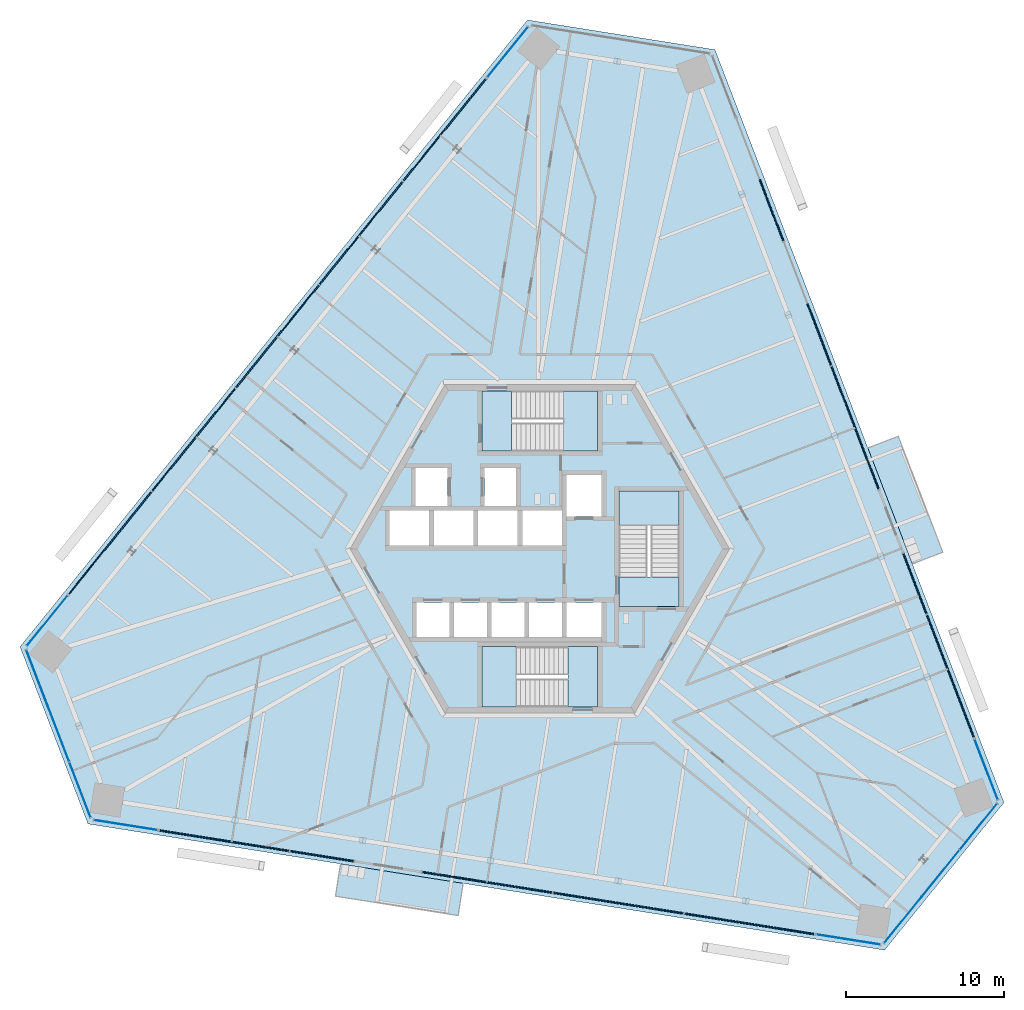
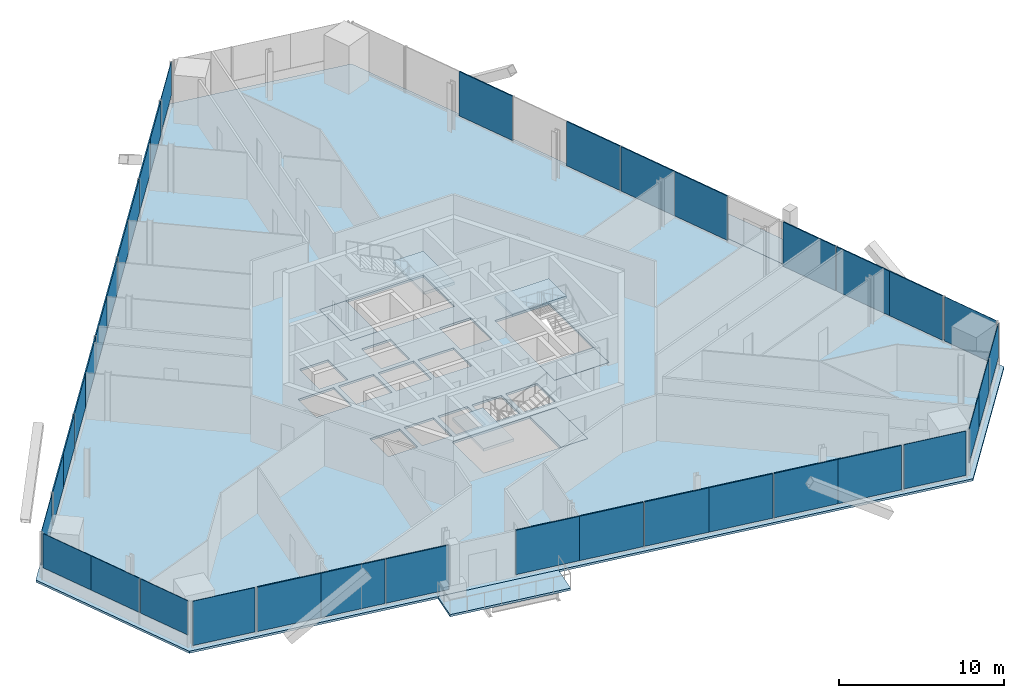
# One storey, part 10 of 19: 37 plates, 9 slabs, 15 elements without a shape of their own.
"""IFC4 building model written with IfcOpenShell, lengths in metres."""

from ifc_helpers import new_model, si_unit, direction, frame, origin, origin_2d, place, context, subcontext, project, spatial, polyline, rectangle, outline, extrude, source, transform, mapped, material, layer, layer_set, type_object, element, aggregate, save


model = new_model("IFC4")

# Units and contexts
model_context = context("Model", 3, precision=1e-05, world=origin(), true_north=direction((0.0, 1.0)))
body_context = subcontext(model_context, "Body", "Model", "MODEL_VIEW")
ifc_project = project(units=[si_unit("LENGTHUNIT", "METRE"), si_unit("AREAUNIT", "SQUARE_METRE"), si_unit("VOLUMEUNIT", "CUBIC_METRE"), si_unit("PLANEANGLEUNIT", "RADIAN"), si_unit("MASSUNIT", "GRAM", prefix="KILO")], contexts=[model_context])

# Site, building, storey
site_placement = place(None, origin())
site = spatial("IfcSite", under=ifc_project, at=site_placement, CompositionType="ELEMENT")
building_placement = place(site_placement, origin())
building = spatial("IfcBuilding", under=site, at=building_placement, Name="Triune Harvest Tower", CompositionType="ELEMENT")
storey_placement = place(building_placement, frame((0.0, 0.0, 142.5)))
storey = spatial("IfcBuildingStorey", under=building, at=storey_placement, Name="L36", CompositionType="ELEMENT", Elevation=142.5)

# Slabs
ifc_material_1 = material(Name="Concrete 40 MPa", Category="concrete")
ifc_layer_1 = layer(ifc_material_1, 0.159912109375)
ifc_layer_set_1 = layer_set([ifc_layer_1], Name="Concrete 40 MPa")
slab_type_1 = type_object("IfcSlabType", Name="BA-1 balcony slab 160", PredefinedType="FLOOR", material=ifc_layer_set_1)
slab_1_placement = place(storey_placement, frame((0.0, 0.0, -0.159912109375)))
element("IfcSlab", 1, at=slab_1_placement, inside=storey, type_object=slab_type_1, Name="Balcony slab B4-F1 L36.5", PredefinedType="FLOOR", context=body_context, shape_type="SweptSolid", body=[
    extrude(outline(polyline([(23.556884765625, -0.952880859375), (20.742919921875, 6.377685546875), (22.667236328125, 7.1162109375), (25.481201171875, -0.21435546875), (23.556884765625, -0.952880859375)])), origin(), (0.0, 0.0, 1.0), 0.159912109375),
])
slab_2_placement = place(storey_placement, frame((0.0, 0.0, -0.159912109375)))
element("IfcSlab", 2, at=slab_2_placement, inside=storey, type_object=slab_type_1, Name="Balcony slab B4-F5 L36.5", PredefinedType="FLOOR", context=body_context, shape_type="SweptSolid", body=[
    extrude(outline(polyline([(-12.603759765625, -19.92431640625), (-4.84814453125, -21.152587890625), (-5.170654296875, -23.188720703125), (-12.92626953125, -21.960205078125), (-12.603759765625, -19.92431640625)])), origin(), (0.0, 0.0, 1.0), 0.159912109375),
])
ifc_material_2 = material(Name="Concrete 40 MPa", Category="concrete")
ifc_layer_2 = layer(ifc_material_2, 0.159912109375)
ifc_layer_set_2 = layer_set([ifc_layer_2], Name="Concrete 40 MPa")
slab_type_2 = type_object("IfcSlabType", Name="SL-1 Composite floor slab 160", PredefinedType="FLOOR", material=ifc_layer_set_2)
slab_3_placement = place(storey_placement, frame((0.0, 0.0, -0.159912109375)))
element("IfcSlab", 3, at=slab_3_placement, inside=storey, type_object=slab_type_2, Name="slab/L36/1", PredefinedType="FLOOR", context=body_context, shape_type="SweptSolid", body=[
    extrude(outline(polyline([(29.35107421875, -16.04736328125), (11.07421875, 31.565185546875), (-0.778076171875, 33.4423828125), (-32.873291015625, -6.19189453125), (-28.572998046875, -17.39501953125), (21.799072265625, -25.373291015625), (29.35107421875, -16.04736328125)]), holes=[polyline([(-7.0, 0.2099609375), (-7.0, 2.409912109375), (-9.5, 2.409912109375), (-9.5, 0.2099609375), (-7.0, 0.2099609375)]), polyline([(-4.199951171875, 0.2099609375), (-4.199951171875, 2.409912109375), (-6.699951171875, 2.409912109375), (-6.699951171875, 0.2099609375), (-4.199951171875, 0.2099609375)]), polyline([(-1.39990234375, 0.2099609375), (-1.39990234375, 2.409912109375), (-3.89990234375, 2.409912109375), (-3.89990234375, 0.2099609375), (-1.39990234375, 0.2099609375)]), polyline([(1.39990234375, 0.2099609375), (1.39990234375, 2.409912109375), (-1.10009765625, 2.409912109375), (-1.10009765625, 0.2099609375), (1.39990234375, 0.2099609375)]), polyline([(-5.72509765625, -5.590087890625), (-5.72509765625, -3.389892578125), (-7.800048828125, -3.389892578125), (-7.800048828125, -5.590087890625), (-5.72509765625, -5.590087890625)]), polyline([(-3.35009765625, -5.590087890625), (-3.35009765625, -3.389892578125), (-5.425048828125, -3.389892578125), (-5.425048828125, -5.590087890625), (-3.35009765625, -5.590087890625)]), polyline([(-0.97509765625, -5.590087890625), (-0.97509765625, -3.389892578125), (-3.050048828125, -3.389892578125), (-3.050048828125, -5.590087890625), (-0.97509765625, -5.590087890625)]), polyline([(1.39990234375, -5.590087890625), (1.39990234375, -3.389892578125), (-0.675048828125, -3.389892578125), (-0.675048828125, -5.590087890625), (1.39990234375, -5.590087890625)]), polyline([(3.89990234375, 2.06005859375), (3.89990234375, 4.659912109375), (1.699951171875, 4.659912109375), (1.699951171875, 2.06005859375), (3.89990234375, 2.06005859375)]), polyline([(3.89990234375, -5.590087890625), (3.89990234375, -3.389892578125), (1.699951171875, -3.389892578125), (1.699951171875, -5.590087890625), (3.89990234375, -5.590087890625)]), polyline([(-5.85009765625, 2.7099609375), (-5.85009765625, 5.110107421875), (-7.85009765625, 5.110107421875), (-7.85009765625, 2.7099609375), (-5.85009765625, 2.7099609375)]), polyline([(-1.5, 2.7099609375), (-1.5, 5.110107421875), (-3.5, 5.110107421875), (-3.5, 2.7099609375), (-1.5, 2.7099609375)]), polyline([(3.64990234375, 6.18994140625), (3.64990234375, 9.989990234375), (-3.64990234375, 9.989990234375), (-3.64990234375, 6.18994140625), (3.64990234375, 6.18994140625)]), polyline([(3.64990234375, -9.989990234375), (3.64990234375, -6.18994140625), (-3.64990234375, -6.18994140625), (-3.64990234375, -9.989990234375), (3.64990234375, -9.989990234375)]), polyline([(8.800048828125, -3.64990234375), (8.800048828125, 3.64990234375), (5.0, 3.64990234375), (5.0, -3.64990234375), (8.800048828125, -3.64990234375)])]), origin(), (0.0, 0.0, 1.0), 0.159912109375),
])

# Stair, slabs
ifc_material_3 = material(Name="Concrete 40 MPa", Category="concrete")
stair_type = type_object("IfcStairType", Name="Exit stair 1800 half turn", PredefinedType="HALF_TURN_STAIR", material=ifc_material_3)
stair_1_placement = place(storey_placement, origin())
stair_1 = element("IfcStair", 4, at=stair_1_placement, inside=storey, type_object=stair_type, Name="Exit stair north", PredefinedType="HALF_TURN_STAIR")
ifc_material_4 = material(Name="Concrete 40 MPa", Category="concrete")
ifc_layer_3 = layer(ifc_material_4, 0.199951171875)
ifc_layer_set_3 = layer_set([ifc_layer_3], Name="Concrete 40 MPa")
slab_type_3 = type_object("IfcSlabType", Name="Stair landing 200", PredefinedType="LANDING", material=ifc_layer_set_3)
shared_shape_1 = source(origin(), body_context, "Body", "SweptSolid", [
    extrude(outline(polyline([(1.510009765625, 6.18994140625), (3.64990234375, 6.18994140625), (3.64990234375, 9.989990234375), (1.510009765625, 9.989990234375), (1.510009765625, 6.18994140625)])), origin(), (0.0, 0.0, 1.0), 0.199951171875),
])
slab_4_placement = place(storey_placement, frame((0.0, 0.0, 1.60009765625)))
slab_4 = element("IfcSlab", 5, at=slab_4_placement, type_object=slab_type_3, Name="ST-1 landing 2", PredefinedType="LANDING", context=body_context, shape_type="MappedRepresentation", body=[
    mapped(shared_shape_1, transform((0.0, 0.0, 0.0), scale=1.0)),
])
shared_shape_2 = source(origin(), body_context, "Body", "SweptSolid", [
    extrude(outline(polyline([(-3.64990234375, 6.18994140625), (-1.780029296875, 6.18994140625), (-1.780029296875, 9.989990234375), (-3.64990234375, 9.989990234375), (-3.64990234375, 6.18994140625)])), origin(), (0.0, 0.0, 1.0), 0.199951171875),
])
slab_5_placement = place(storey_placement, frame((0.0, 0.0, -0.199951171875)))
slab_5 = element("IfcSlab", 6, at=slab_5_placement, type_object=slab_type_3, Name="ST-1 landing 1", PredefinedType="LANDING", context=body_context, shape_type="MappedRepresentation", body=[
    mapped(shared_shape_2, transform((0.0, 0.0, 0.0), scale=1.0)),
])
aggregate(stair_1, [slab_5, slab_4])

stair_2_placement = place(storey_placement, origin())
stair_2 = element("IfcStair", 7, at=stair_2_placement, inside=storey, type_object=stair_type, Name="Exit stair south", PredefinedType="HALF_TURN_STAIR")
shared_shape_3 = source(origin(), body_context, "Body", "SweptSolid", [
    extrude(outline(polyline([(-1.510009765625, -6.18994140625), (-3.64990234375, -6.18994140625), (-3.64990234375, -9.989990234375), (-1.510009765625, -9.989990234375), (-1.510009765625, -6.18994140625)])), origin(), (0.0, 0.0, 1.0), 0.199951171875),
])
slab_6_placement = place(storey_placement, frame((0.0, 0.0, 1.60009765625)))
slab_6 = element("IfcSlab", 8, at=slab_6_placement, type_object=slab_type_3, Name="ST-2 landing 2", PredefinedType="LANDING", context=body_context, shape_type="MappedRepresentation", body=[
    mapped(shared_shape_3, transform((0.0, 0.0, 0.0), scale=1.0)),
])
shared_shape_4 = source(origin(), body_context, "Body", "SweptSolid", [
    extrude(outline(polyline([(3.64990234375, -6.18994140625), (1.780029296875, -6.18994140625), (1.780029296875, -9.989990234375), (3.64990234375, -9.989990234375), (3.64990234375, -6.18994140625)])), origin(), (0.0, 0.0, 1.0), 0.199951171875),
])
slab_7_placement = place(storey_placement, frame((0.0, 0.0, -0.199951171875)))
slab_7 = element("IfcSlab", 9, at=slab_7_placement, type_object=slab_type_3, Name="ST-2 landing 1", PredefinedType="LANDING", context=body_context, shape_type="MappedRepresentation", body=[
    mapped(shared_shape_4, transform((0.0, 0.0, 0.0), scale=1.0)),
])
aggregate(stair_2, [slab_7, slab_6])

stair_3_placement = place(storey_placement, origin())
stair_3 = element("IfcStair", 10, at=stair_3_placement, inside=storey, type_object=stair_type, Name="Exit stair east", PredefinedType="HALF_TURN_STAIR")
shared_shape_5 = source(origin(), body_context, "Body", "SweptSolid", [
    extrude(outline(polyline([(8.800048828125, 1.510009765625), (8.800048828125, 3.64990234375), (5.0, 3.64990234375), (5.0, 1.510009765625), (8.800048828125, 1.510009765625)])), origin(), (0.0, 0.0, 1.0), 0.199951171875),
])
slab_8_placement = place(storey_placement, frame((0.0, 0.0, 1.60009765625)))
slab_8 = element("IfcSlab", 11, at=slab_8_placement, type_object=slab_type_3, Name="ST-3 landing 2", PredefinedType="LANDING", context=body_context, shape_type="MappedRepresentation", body=[
    mapped(shared_shape_5, transform((0.0, 0.0, 0.0), scale=1.0)),
])
shared_shape_6 = source(origin(), body_context, "Body", "SweptSolid", [
    extrude(outline(polyline([(8.800048828125, -3.64990234375), (8.800048828125, -1.780029296875), (5.0, -1.780029296875), (5.0, -3.64990234375), (8.800048828125, -3.64990234375)])), origin(), (0.0, 0.0, 1.0), 0.199951171875),
])
slab_9_placement = place(storey_placement, frame((0.0, 0.0, -0.199951171875)))
slab_9 = element("IfcSlab", 12, at=slab_9_placement, type_object=slab_type_3, Name="ST-3 landing 1", PredefinedType="LANDING", context=body_context, shape_type="MappedRepresentation", body=[
    mapped(shared_shape_6, transform((0.0, 0.0, 0.0), scale=1.0)),
])
aggregate(stair_3, [slab_9, slab_8])

# Curtain wall, plate
ifc_material_5 = material(Name="Aluminium bronze anodised", Category="aluminium")
curtain_wall_type_1 = type_object("IfcCurtainWallType", Name="CW-6 Balcony window wall", PredefinedType="NOTDEFINED", material=ifc_material_5)
curtain_wall_1_placement = place(storey_placement, origin())
curtain_wall_1 = element("IfcCurtainWall", 13, at=curtain_wall_1_placement, inside=storey, type_object=curtain_wall_type_1, Name="CW-6 B4-F1 L36 run 1")
ifc_material_6 = material(Name="Glass", Category="glass")
ifc_layer_4 = layer(ifc_material_6, 0.030029296875)
ifc_layer_set_4 = layer_set([ifc_layer_4], Name="Glass")
plate_type_1 = type_object("IfcPlateType", Name="GL-6 panel 30", PredefinedType="CURTAIN_PANEL", material=ifc_layer_set_4)
shared_shape_7 = source(origin(), body_context, "Body", "SweptSolid", [
    extrude(rectangle(XDim=4.048583984375, YDim=0.030029296875, at=origin_2d()), origin(), (0.0, 0.0, 1.0), 3.2900390625),
])
plate_1_placement = place(storey_placement, frame((28.224365234375, -13.94921875, 0.14990234375), z_axis=(0.0, 0.0, 1.0), x_axis=(-0.358364844076, 0.933581618569, 0.0)))
plate_1 = element("IfcPlate", 14, at=plate_1_placement, type_object=plate_type_1, Name="CW-6 panel B4-F1 1.1", PredefinedType="CURTAIN_PANEL", context=body_context, shape_type="MappedRepresentation", body=[
    mapped(shared_shape_7, transform((0.0, 0.0, 0.0), scale=1.0)),
])
aggregate(curtain_wall_1, [plate_1])

curtain_wall_2_placement = place(storey_placement, origin())
curtain_wall_2 = element("IfcCurtainWall", 15, at=curtain_wall_2_placement, inside=storey, type_object=curtain_wall_type_1, Name="CW-6 B4-F5 L36 run 1")
plate_2_placement = place(storey_placement, frame((-26.192626953125, -17.46826171875, 0.14990234375), z_axis=(0.0, 0.0, 1.0), x_axis=(0.987687783412, -0.156437982917, 0.0)))
plate_2 = element("IfcPlate", 16, at=plate_2_placement, type_object=plate_type_1, Name="CW-6 panel B4-F5 1.1", PredefinedType="CURTAIN_PANEL", context=body_context, shape_type="MappedRepresentation", body=[
    mapped(shared_shape_7, transform((0.0, 0.0, 0.0), scale=1.0)),
])
aggregate(curtain_wall_2, [plate_2])

ifc_material_7 = material(Name="Aluminium bronze anodised", Category="aluminium")
curtain_wall_type_2 = type_object("IfcCurtainWallType", Name="CW-10 Balcony window wall with insulated spandrel infill", PredefinedType="NOTDEFINED", material=ifc_material_7)
curtain_wall_3_placement = place(storey_placement, origin())
curtain_wall_3 = element("IfcCurtainWall", 17, at=curtain_wall_3_placement, inside=storey, type_object=curtain_wall_type_2, Name="CW-10 B4-F1 L36 run 1001")
ifc_material_8 = material(Name="Insulated spandrel panel, bronze aluminium pan", Category="aluminium")
ifc_layer_5 = layer(ifc_material_8, 0.080078125)
ifc_layer_set_5 = layer_set([ifc_layer_5], Name="Insulated spandrel panel, bronze aluminium pan")
plate_type_2 = type_object("IfcPlateType", Name="SP-1 insulated spandrel panel 80", PredefinedType="CURTAIN_PANEL", material=ifc_layer_set_5)
shared_shape_8 = source(origin(), body_context, "Body", "SweptSolid", [
    extrude(rectangle(XDim=4.12353515625, YDim=0.080078125, at=origin_2d()), origin(), (0.0, 0.0, 1.0), 3.2900390625),
])
plate_3_placement = place(storey_placement, frame((26.706298828125, -9.99462890625, 0.14990234375), z_axis=(0.0, 0.0, 1.0), x_axis=(-0.358370748357, 0.933579352129, 0.0)))
plate_3 = element("IfcPlate", 18, at=plate_3_placement, type_object=plate_type_2, Name="CW-10 panel B4-F1 1001.1", PredefinedType="CURTAIN_PANEL", context=body_context, shape_type="MappedRepresentation", body=[
    mapped(shared_shape_8, transform((0.0, 0.0, 0.0), scale=1.0)),
])

curtain_wall_4_placement = place(storey_placement, origin())
curtain_wall_4 = element("IfcCurtainWall", 19, at=curtain_wall_4_placement, inside=storey, type_object=curtain_wall_type_2, Name="CW-10 B4-F5 L36 run 1001")
plate_4_placement = place(storey_placement, frame((-22.0087890625, -18.130859375, 0.14990234375), z_axis=(0.0, 0.0, 1.0), x_axis=(0.987688418742, -0.156433971642, 0.0)))
plate_4 = element("IfcPlate", 20, at=plate_4_placement, type_object=plate_type_2, Name="CW-10 panel B4-F5 1001.1", PredefinedType="CURTAIN_PANEL", context=body_context, shape_type="MappedRepresentation", body=[
    mapped(shared_shape_8, transform((0.0, 0.0, 0.0), scale=1.0)),
])

# Plate
shared_shape_9 = source(origin(), body_context, "Body", "SweptSolid", [
    extrude(rectangle(XDim=4.1611328125, YDim=0.080078125, at=origin_2d()), origin(), (0.0, 0.0, 1.0), 3.2900390625),
])
plate_5_placement = place(storey_placement, frame((25.2216796875, -6.127197265625, 0.14990234375), z_axis=(0.0, 0.0, 1.0), x_axis=(-0.358370748357, 0.933579352129, 0.0)))
plate_5 = element("IfcPlate", 21, at=plate_5_placement, type_object=plate_type_2, Name="CW-10 panel B4-F1 1001.2", PredefinedType="CURTAIN_PANEL", context=body_context, shape_type="MappedRepresentation", body=[
    mapped(shared_shape_9, transform((0.0, 0.0, 0.0), scale=1.0)),
])

plate_6_placement = place(storey_placement, frame((-17.917236328125, -18.779052734375, 0.14990234375), z_axis=(0.0, 0.0, 1.0), x_axis=(0.987688418742, -0.156433971642, 0.0)))
plate_6 = element("IfcPlate", 22, at=plate_6_placement, type_object=plate_type_2, Name="CW-10 panel B4-F5 1001.2", PredefinedType="CURTAIN_PANEL", context=body_context, shape_type="MappedRepresentation", body=[
    mapped(shared_shape_9, transform((0.0, 0.0, 0.0), scale=1.0)),
])

shared_shape_10 = source(origin(), body_context, "Body", "SweptSolid", [
    extrude(rectangle(XDim=4.086181640625, YDim=0.080078125, at=origin_2d()), origin(), (0.0, 0.0, 1.0), 3.2900390625),
])
plate_7_placement = place(storey_placement, frame((23.717041015625, -2.20751953125, 0.14990234375), z_axis=(0.0, 0.0, 1.0), x_axis=(-0.358370748357, 0.933579352129, 0.0)))
plate_7 = element("IfcPlate", 23, at=plate_7_placement, type_object=plate_type_2, Name="CW-10 panel B4-F1 1001.3", PredefinedType="CURTAIN_PANEL", context=body_context, shape_type="MappedRepresentation", body=[
    mapped(shared_shape_10, transform((0.0, 0.0, 0.0), scale=1.0)),
])

aggregate(curtain_wall_3, [plate_3, plate_5, plate_7])

plate_8_placement = place(storey_placement, frame((-13.770263671875, -19.435791015625, 0.14990234375), z_axis=(0.0, 0.0, 1.0), x_axis=(0.987688418742, -0.156433971642, 0.0)))
plate_8 = element("IfcPlate", 24, at=plate_8_placement, type_object=plate_type_2, Name="CW-10 panel B4-F5 1001.3", PredefinedType="CURTAIN_PANEL", context=body_context, shape_type="MappedRepresentation", body=[
    mapped(shared_shape_10, transform((0.0, 0.0, 0.0), scale=1.0)),
])

aggregate(curtain_wall_4, [plate_4, plate_6, plate_8])

# Curtain wall, plate
curtain_wall_5_placement = place(storey_placement, origin())
curtain_wall_5 = element("IfcCurtainWall", 25, at=curtain_wall_5_placement, inside=storey, type_object=curtain_wall_type_2, Name="CW-10 B4-F1 L36 run 2")
shared_shape_11 = source(origin(), body_context, "Body", "SweptSolid", [
    extrude(rectangle(XDim=4.13330078125, YDim=0.080078125, at=origin_2d()), origin(), (0.0, 0.0, 1.0), 3.2900390625),
])
plate_9_placement = place(storey_placement, frame((20.677734375, 5.7099609375, 0.14990234375), z_axis=(0.0, 0.0, 1.0), x_axis=(-0.358368448094, 0.933580235122, 0.0)))
plate_9 = element("IfcPlate", 26, at=plate_9_placement, type_object=plate_type_2, Name="CW-10 panel B4-F1 2.1", PredefinedType="CURTAIN_PANEL", context=body_context, shape_type="MappedRepresentation", body=[
    mapped(shared_shape_11, transform((0.0, 0.0, 0.0), scale=1.0)),
])

# Curtain wall, plates
curtain_wall_6_placement = place(storey_placement, origin())
curtain_wall_6 = element("IfcCurtainWall", 27, at=curtain_wall_6_placement, inside=storey, type_object=curtain_wall_type_2, Name="CW-10 B4-F5 L36 run 2")
plate_10_placement = place(storey_placement, frame((-5.393798828125, -20.762451171875, 0.14990234375), z_axis=(0.0, 0.0, 1.0), x_axis=(0.987688213729, -0.15643526604, 0.0)))
plate_10 = element("IfcPlate", 28, at=plate_10_placement, type_object=plate_type_2, Name="CW-10 panel B4-F5 2.1", PredefinedType="CURTAIN_PANEL", context=body_context, shape_type="MappedRepresentation", body=[
    mapped(shared_shape_11, transform((0.0, 0.0, 0.0), scale=1.0)),
])
plate_11_placement = place(storey_placement, frame((15.314453125, -24.04248046875, 0.14990234375), z_axis=(0.0, 0.0, 1.0), x_axis=(0.987688213729, -0.15643526604, 0.0)))
plate_11 = element("IfcPlate", 29, at=plate_11_placement, type_object=plate_type_2, Name="CW-10 panel B4-F5 2.6", PredefinedType="CURTAIN_PANEL", context=body_context, shape_type="MappedRepresentation", body=[
    mapped(shared_shape_11, transform((0.0, 0.0, 0.0), scale=1.0)),
])

# Plate
shared_shape_12 = source(origin(), body_context, "Body", "SweptSolid", [
    extrude(rectangle(XDim=4.170654296875, YDim=0.080078125, at=origin_2d()), origin(), (0.0, 0.0, 1.0), 3.2900390625),
])
plate_12_placement = place(storey_placement, frame((19.18994140625, 9.586181640625, 0.14990234375), z_axis=(0.0, 0.0, 1.0), x_axis=(-0.358368448094, 0.933580235122, 0.0)))
plate_12 = element("IfcPlate", 30, at=plate_12_placement, type_object=plate_type_2, Name="CW-10 panel B4-F1 2.2", PredefinedType="CURTAIN_PANEL", context=body_context, shape_type="MappedRepresentation", body=[
    mapped(shared_shape_12, transform((0.0, 0.0, 0.0), scale=1.0)),
])

plate_13_placement = place(storey_placement, frame((17.668212890625, 13.550048828125, 0.14990234375), z_axis=(0.0, 0.0, 1.0), x_axis=(-0.358368448094, 0.933580235122, 0.0)))
plate_13 = element("IfcPlate", 31, at=plate_13_placement, type_object=plate_type_2, Name="CW-10 panel B4-F1 2.3", PredefinedType="CURTAIN_PANEL", context=body_context, shape_type="MappedRepresentation", body=[
    mapped(shared_shape_12, transform((0.0, 0.0, 0.0), scale=1.0)),
])

plate_14_placement = place(storey_placement, frame((14.652099609375, 21.407470703125, 0.14990234375), z_axis=(0.0, 0.0, 1.0), x_axis=(-0.358368448094, 0.933580235122, 0.0)))
plate_14 = element("IfcPlate", 32, at=plate_14_placement, type_object=plate_type_2, Name="CW-10 panel B4-F1 2.5", PredefinedType="CURTAIN_PANEL", context=body_context, shape_type="MappedRepresentation", body=[
    mapped(shared_shape_12, transform((0.0, 0.0, 0.0), scale=1.0)),
])

aggregate(curtain_wall_5, [plate_9, plate_12, plate_13, plate_14])

plate_15_placement = place(storey_placement, frame((-1.29296875, -21.412109375, 0.14990234375), z_axis=(0.0, 0.0, 1.0), x_axis=(0.987688213729, -0.15643526604, 0.0)))
plate_15 = element("IfcPlate", 33, at=plate_15_placement, type_object=plate_type_2, Name="CW-10 panel B4-F5 2.2", PredefinedType="CURTAIN_PANEL", context=body_context, shape_type="MappedRepresentation", body=[
    mapped(shared_shape_12, transform((0.0, 0.0, 0.0), scale=1.0)),
])

plate_16_placement = place(storey_placement, frame((2.900390625, -22.076171875, 0.14990234375), z_axis=(0.0, 0.0, 1.0), x_axis=(0.987688213729, -0.15643526604, 0.0)))
plate_16 = element("IfcPlate", 34, at=plate_16_placement, type_object=plate_type_2, Name="CW-10 panel B4-F5 2.3", PredefinedType="CURTAIN_PANEL", context=body_context, shape_type="MappedRepresentation", body=[
    mapped(shared_shape_12, transform((0.0, 0.0, 0.0), scale=1.0)),
])

plate_17_placement = place(storey_placement, frame((7.02001953125, -22.728759765625, 0.14990234375), z_axis=(0.0, 0.0, 1.0), x_axis=(0.987688213729, -0.15643526604, 0.0)))
plate_17 = element("IfcPlate", 35, at=plate_17_placement, type_object=plate_type_2, Name="CW-10 panel B4-F5 2.4", PredefinedType="CURTAIN_PANEL", context=body_context, shape_type="MappedRepresentation", body=[
    mapped(shared_shape_12, transform((0.0, 0.0, 0.0), scale=1.0)),
])

plate_18_placement = place(storey_placement, frame((11.21337890625, -23.392822265625, 0.14990234375), z_axis=(0.0, 0.0, 1.0), x_axis=(0.987688213729, -0.15643526604, 0.0)))
plate_18 = element("IfcPlate", 36, at=plate_18_placement, type_object=plate_type_2, Name="CW-10 panel B4-F5 2.5", PredefinedType="CURTAIN_PANEL", context=body_context, shape_type="MappedRepresentation", body=[
    mapped(shared_shape_12, transform((0.0, 0.0, 0.0), scale=1.0)),
])

aggregate(curtain_wall_6, [plate_10, plate_15, plate_16, plate_17, plate_18, plate_11])

# Curtain wall, plate
curtain_wall_7_placement = place(storey_placement, origin())
curtain_wall_7 = element("IfcCurtainWall", 37, at=curtain_wall_7_placement, inside=storey, type_object=curtain_wall_type_1, Name="CW-6 B4-F5 L36 run 1002")
shared_shape_13 = source(origin(), body_context, "Body", "SweptSolid", [
    extrude(rectangle(XDim=4.058349609375, YDim=0.030029296875, at=origin_2d()), origin(), (0.0, 0.0, 1.0), 3.2900390625),
])
plate_19_placement = place(storey_placement, frame((19.5078125, -24.70654296875, 0.14990234375), z_axis=(0.0, 0.0, 1.0), x_axis=(0.987688537017, -0.156433224874, 0.0)))
plate_19 = element("IfcPlate", 38, at=plate_19_placement, type_object=plate_type_1, Name="CW-6 panel B4-F5 1002.1", PredefinedType="CURTAIN_PANEL", context=body_context, shape_type="MappedRepresentation", body=[
    mapped(shared_shape_13, transform((0.0, 0.0, 0.0), scale=1.0)),
])
aggregate(curtain_wall_7, [plate_19])

ifc_material_9 = material(Name="Aluminium bronze anodised", Category="aluminium")
curtain_wall_type_3 = type_object("IfcCurtainWallType", Name="CW-1 Tower stick curtain wall", PredefinedType="NOTDEFINED", material=ifc_material_9)
curtain_wall_8_placement = place(storey_placement, origin())
curtain_wall_8 = element("IfcCurtainWall", 39, at=curtain_wall_8_placement, inside=storey, type_object=curtain_wall_type_3, Name="CW-1 B4-F4 L36 run 1")
ifc_material_10 = material(Name="Glass", Category="glass")
ifc_layer_6 = layer(ifc_material_10, 0.031982421875)
ifc_layer_set_6 = layer_set([ifc_layer_6], Name="Glass")
plate_type_3 = type_object("IfcPlateType", Name="GL-1 panel 32", PredefinedType="CURTAIN_PANEL", material=ifc_layer_set_6)
shared_shape_14 = source(origin(), body_context, "Body", "SweptSolid", [
    extrude(rectangle(XDim=3.74951171875, YDim=0.031982421875, at=origin_2d()), origin(), (0.0, 0.0, 1.0), 2.5400390625),
])
plate_20_placement = place(storey_placement, frame((-31.80029296875, -8.150390625, 0.89990234375), z_axis=(0.0, 0.0, 1.0), x_axis=(0.358368910177, -0.933580057745, 0.0)))
plate_20 = element("IfcPlate", 40, at=plate_20_placement, type_object=plate_type_3, Name="CW-1 panel B4-F4 1.1", PredefinedType="CURTAIN_PANEL", context=body_context, shape_type="MappedRepresentation", body=[
    mapped(shared_shape_14, transform((0.0, 0.0, 0.0), scale=1.0)),
])

curtain_wall_9_placement = place(storey_placement, origin())
curtain_wall_9 = element("IfcCurtainWall", 41, at=curtain_wall_9_placement, inside=storey, type_object=curtain_wall_type_3, Name="CW-1 B4-F6 L36 run 1")
plate_21_placement = place(storey_placement, frame((22.958740234375, -23.464599609375, 0.89990234375), z_axis=(0.0, 0.0, 1.0), x_axis=(0.629320905414, 0.777145544932, 0.0)))
plate_21 = element("IfcPlate", 42, at=plate_21_placement, type_object=plate_type_3, Name="CW-1 panel B4-F6 1.1", PredefinedType="CURTAIN_PANEL", context=body_context, shape_type="MappedRepresentation", body=[
    mapped(shared_shape_14, transform((0.0, 0.0, 0.0), scale=1.0)),
])

# Plate
shared_shape_15 = source(origin(), body_context, "Body", "SweptSolid", [
    extrude(rectangle(XDim=3.787109375, YDim=0.031982421875, at=origin_2d()), origin(), (0.0, 0.0, 1.0), 2.5400390625),
])
plate_22_placement = place(storey_placement, frame((-30.449951171875, -11.66845703125, 0.89990234375), z_axis=(0.0, 0.0, 1.0), x_axis=(0.358368910177, -0.933580057745, 0.0)))
plate_22 = element("IfcPlate", 43, at=plate_22_placement, type_object=plate_type_3, Name="CW-1 panel B4-F4 1.2", PredefinedType="CURTAIN_PANEL", context=body_context, shape_type="MappedRepresentation", body=[
    mapped(shared_shape_15, transform((0.0, 0.0, 0.0), scale=1.0)),
])

plate_23_placement = place(storey_placement, frame((25.330078125, -20.5361328125, 0.89990234375), z_axis=(0.0, 0.0, 1.0), x_axis=(0.629320905414, 0.777145544932, 0.0)))
plate_23 = element("IfcPlate", 44, at=plate_23_placement, type_object=plate_type_3, Name="CW-1 panel B4-F6 1.2", PredefinedType="CURTAIN_PANEL", context=body_context, shape_type="MappedRepresentation", body=[
    mapped(shared_shape_15, transform((0.0, 0.0, 0.0), scale=1.0)),
])

# Curtain wall, plate
curtain_wall_10_placement = place(storey_placement, origin())
curtain_wall_10 = element("IfcCurtainWall", 45, at=curtain_wall_10_placement, inside=storey, type_object=curtain_wall_type_3, Name="CW-1 B4-F3 L36 run 1")
shared_shape_16 = source(origin(), body_context, "Body", "SweptSolid", [
    extrude(rectangle(XDim=4.05615234375, YDim=0.031982421875, at=origin_2d()), origin(), (0.0, 0.0, 1.0), 2.5400390625),
])
plate_24_placement = place(storey_placement, frame((-2.033935546875, 31.414794921875, 0.89990234375), z_axis=(0.0, 0.0, 1.0), x_axis=(-0.629316641776, -0.777148997544, 0.0)))
plate_24 = element("IfcPlate", 46, at=plate_24_placement, type_object=plate_type_3, Name="CW-1 panel B4-F3 1.1", PredefinedType="CURTAIN_PANEL", context=body_context, shape_type="MappedRepresentation", body=[
    mapped(shared_shape_16, transform((0.0, 0.0, 0.0), scale=1.0)),
])
aggregate(curtain_wall_10, [plate_24])

curtain_wall_11_placement = place(storey_placement, origin())
curtain_wall_11 = element("IfcCurtainWall", 47, at=curtain_wall_11_placement, inside=storey, type_object=curtain_wall_type_3, Name="CW-1 B4-F3 L36 run 2001")
plate_25_placement = place(storey_placement, frame((-31.151123046875, -4.5419921875, 0.89990234375), z_axis=(0.0, 0.0, 1.0), x_axis=(-0.629316641776, -0.777148997544, 0.0)))
plate_25 = element("IfcPlate", 48, at=plate_25_placement, type_object=plate_type_3, Name="CW-1 panel B4-F3 2001.1", PredefinedType="CURTAIN_PANEL", context=body_context, shape_type="MappedRepresentation", body=[
    mapped(shared_shape_16, transform((0.0, 0.0, 0.0), scale=1.0)),
])
aggregate(curtain_wall_11, [plate_25])

# Curtain wall, plates
ifc_material_11 = material(Name="Aluminium bronze anodised", Category="aluminium")
curtain_wall_type_4 = type_object("IfcCurtainWallType", Name="CW-7 Tower stick curtain wall with insulated spandrel infill", PredefinedType="NOTDEFINED", material=ifc_material_11)
curtain_wall_12_placement = place(storey_placement, origin())
curtain_wall_12 = element("IfcCurtainWall", 49, at=curtain_wall_12_placement, inside=storey, type_object=curtain_wall_type_4, Name="CW-7 B4-F3 L36 run 1001")
shared_shape_17 = source(origin(), body_context, "Body", "SweptSolid", [
    extrude(rectangle(XDim=4.131103515625, YDim=0.080078125, at=origin_2d()), origin(), (0.0, 0.0, 1.0), 2.5400390625),
])
plate_26_placement = place(storey_placement, frame((-4.70458984375, 28.11669921875, 0.89990234375), z_axis=(0.0, 0.0, 1.0), x_axis=(-0.629322422546, -0.77714431638, 0.0)))
plate_26 = element("IfcPlate", 50, at=plate_26_placement, type_object=plate_type_2, Name="CW-7 panel B4-F3 1001.1", PredefinedType="CURTAIN_PANEL", context=body_context, shape_type="MappedRepresentation", body=[
    mapped(shared_shape_17, transform((0.0, 0.0, 0.0), scale=1.0)),
])
plate_27_placement = place(storey_placement, frame((-28.48046875, -1.243896484375, 0.89990234375), z_axis=(0.0, 0.0, 1.0), x_axis=(-0.629322422546, -0.77714431638, 0.0)))
plate_27 = element("IfcPlate", 51, at=plate_27_placement, type_object=plate_type_2, Name="CW-7 panel B4-F3 1001.10", PredefinedType="CURTAIN_PANEL", context=body_context, shape_type="MappedRepresentation", body=[
    mapped(shared_shape_17, transform((0.0, 0.0, 0.0), scale=1.0)),
])
shared_shape_18 = source(origin(), body_context, "Body", "SweptSolid", [
    extrude(rectangle(XDim=4.168701171875, YDim=0.080078125, at=origin_2d()), origin(), (0.0, 0.0, 1.0), 2.5400390625),
])
plate_28_placement = place(storey_placement, frame((-7.316162109375, 24.8916015625, 0.89990234375), z_axis=(0.0, 0.0, 1.0), x_axis=(-0.629322422546, -0.77714431638, 0.0)))
plate_28 = element("IfcPlate", 52, at=plate_28_placement, type_object=plate_type_2, Name="CW-7 panel B4-F3 1001.2", PredefinedType="CURTAIN_PANEL", context=body_context, shape_type="MappedRepresentation", body=[
    mapped(shared_shape_18, transform((0.0, 0.0, 0.0), scale=1.0)),
])
plate_29_placement = place(storey_placement, frame((-9.98681640625, 21.59375, 0.89990234375), z_axis=(0.0, 0.0, 1.0), x_axis=(-0.629322422546, -0.77714431638, 0.0)))
plate_29 = element("IfcPlate", 53, at=plate_29_placement, type_object=plate_type_2, Name="CW-7 panel B4-F3 1001.3", PredefinedType="CURTAIN_PANEL", context=body_context, shape_type="MappedRepresentation", body=[
    mapped(shared_shape_18, transform((0.0, 0.0, 0.0), scale=1.0)),
])
plate_30_placement = place(storey_placement, frame((-12.6103515625, 18.354248046875, 0.89990234375), z_axis=(0.0, 0.0, 1.0), x_axis=(-0.629322422546, -0.77714431638, 0.0)))
plate_30 = element("IfcPlate", 54, at=plate_30_placement, type_object=plate_type_2, Name="CW-7 panel B4-F3 1001.4", PredefinedType="CURTAIN_PANEL", context=body_context, shape_type="MappedRepresentation", body=[
    mapped(shared_shape_18, transform((0.0, 0.0, 0.0), scale=1.0)),
])
plate_31_placement = place(storey_placement, frame((-15.281005859375, 15.05615234375, 0.89990234375), z_axis=(0.0, 0.0, 1.0), x_axis=(-0.629322422546, -0.77714431638, 0.0)))
plate_31 = element("IfcPlate", 55, at=plate_31_placement, type_object=plate_type_2, Name="CW-7 panel B4-F3 1001.5", PredefinedType="CURTAIN_PANEL", context=body_context, shape_type="MappedRepresentation", body=[
    mapped(shared_shape_18, transform((0.0, 0.0, 0.0), scale=1.0)),
])
plate_32_placement = place(storey_placement, frame((-17.904296875, 11.816650390625, 0.89990234375), z_axis=(0.0, 0.0, 1.0), x_axis=(-0.629322422546, -0.77714431638, 0.0)))
plate_32 = element("IfcPlate", 56, at=plate_32_placement, type_object=plate_type_2, Name="CW-7 panel B4-F3 1001.6", PredefinedType="CURTAIN_PANEL", context=body_context, shape_type="MappedRepresentation", body=[
    mapped(shared_shape_18, transform((0.0, 0.0, 0.0), scale=1.0)),
])
plate_33_placement = place(storey_placement, frame((-20.574951171875, 8.5185546875, 0.89990234375), z_axis=(0.0, 0.0, 1.0), x_axis=(-0.629322422546, -0.77714431638, 0.0)))
plate_33 = element("IfcPlate", 57, at=plate_33_placement, type_object=plate_type_2, Name="CW-7 panel B4-F3 1001.7", PredefinedType="CURTAIN_PANEL", context=body_context, shape_type="MappedRepresentation", body=[
    mapped(shared_shape_18, transform((0.0, 0.0, 0.0), scale=1.0)),
])
plate_34_placement = place(storey_placement, frame((-23.1982421875, 5.279052734375, 0.89990234375), z_axis=(0.0, 0.0, 1.0), x_axis=(-0.629322422546, -0.77714431638, 0.0)))
plate_34 = element("IfcPlate", 58, at=plate_34_placement, type_object=plate_type_2, Name="CW-7 panel B4-F3 1001.8", PredefinedType="CURTAIN_PANEL", context=body_context, shape_type="MappedRepresentation", body=[
    mapped(shared_shape_18, transform((0.0, 0.0, 0.0), scale=1.0)),
])
plate_35_placement = place(storey_placement, frame((-25.868896484375, 1.981201171875, 0.89990234375), z_axis=(0.0, 0.0, 1.0), x_axis=(-0.629322422546, -0.77714431638, 0.0)))
plate_35 = element("IfcPlate", 59, at=plate_35_placement, type_object=plate_type_2, Name="CW-7 panel B4-F3 1001.9", PredefinedType="CURTAIN_PANEL", context=body_context, shape_type="MappedRepresentation", body=[
    mapped(shared_shape_18, transform((0.0, 0.0, 0.0), scale=1.0)),
])
aggregate(curtain_wall_12, [plate_26, plate_28, plate_29, plate_30, plate_31, plate_32, plate_33, plate_34, plate_35, plate_27])

# Plate
shared_shape_19 = source(origin(), body_context, "Body", "SweptSolid", [
    extrude(rectangle(XDim=3.712158203125, YDim=0.031982421875, at=origin_2d()), origin(), (0.0, 0.0, 1.0), 2.5400390625),
])
plate_36_placement = place(storey_placement, frame((-29.079345703125, -15.239013671875, 0.89990234375), z_axis=(0.0, 0.0, 1.0), x_axis=(0.358368910177, -0.933580057745, 0.0)))
plate_36 = element("IfcPlate", 60, at=plate_36_placement, type_object=plate_type_3, Name="CW-1 panel B4-F4 1.3", PredefinedType="CURTAIN_PANEL", context=body_context, shape_type="MappedRepresentation", body=[
    mapped(shared_shape_19, transform((0.0, 0.0, 0.0), scale=1.0)),
])

aggregate(curtain_wall_8, [plate_20, plate_22, plate_36])

plate_37_placement = place(storey_placement, frame((27.737060546875, -17.563720703125, 0.89990234375), z_axis=(0.0, 0.0, 1.0), x_axis=(0.629320905414, 0.777145544932, 0.0)))
plate_37 = element("IfcPlate", 61, at=plate_37_placement, type_object=plate_type_3, Name="CW-1 panel B4-F6 1.3", PredefinedType="CURTAIN_PANEL", context=body_context, shape_type="MappedRepresentation", body=[
    mapped(shared_shape_19, transform((0.0, 0.0, 0.0), scale=1.0)),
])

aggregate(curtain_wall_9, [plate_21, plate_23, plate_37])

save(model, "model.ifc")
